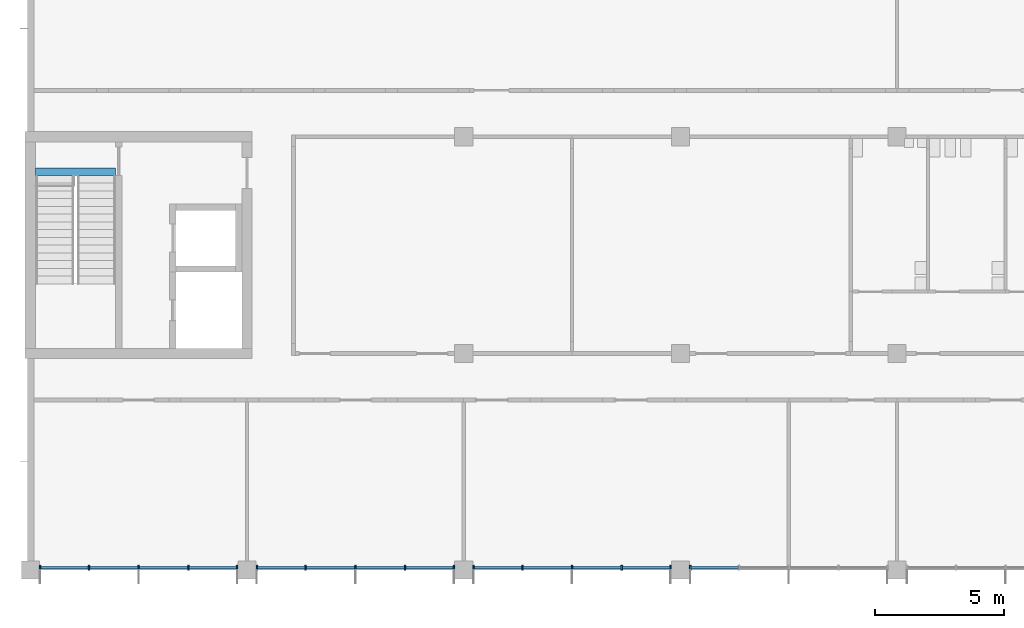
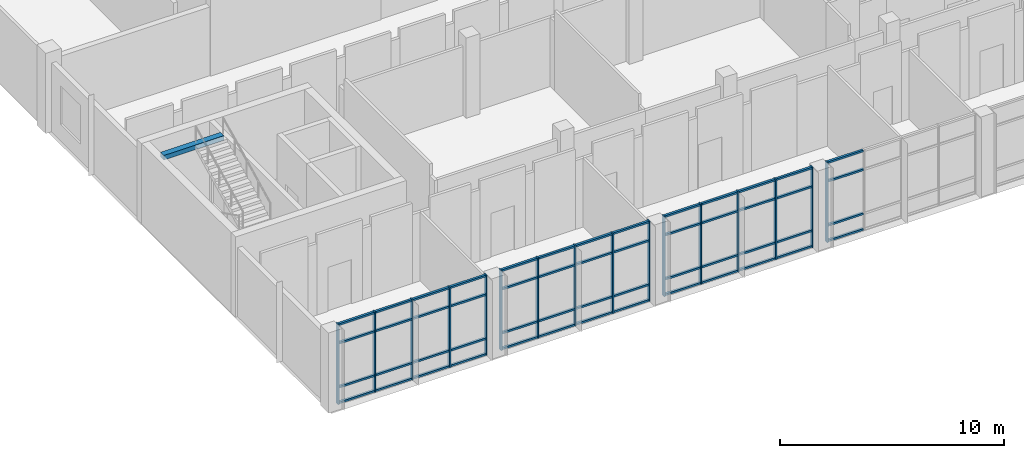
# One storey, part 6 of 70: 68 members, 1 beam, 4 elements without a shape of their own.
"""IFC4 building model written with IfcOpenShell, lengths in metres."""

import ifcopenshell
import ifcopenshell.guid

model = None  # the IFC model being written
_history = None  # IfcOwnerHistory: only IFC2X3 demands one
_inside = {}  # id of a spatial element -> (the spatial element, [elements in it])
_under = {}  # id of a project, library or spatial element -> (it, [spatial elements below it])
_declared = {}  # id of a project -> (the project, [libraries it declares])
_typed = {}  # id of a type object -> (the type object, [elements of that type])
_made_of = {}  # id of a material, layer set ... -> (it, [elements and type objects made of it])


def new_model(schema):
    """Start an empty IFC model of exactly this schema.

    Asked for "IFC4X3", IfcOpenShell would pick the latest addendum, in which some entities
    have other attributes; the version numbers below select the first issue.
    IFC2X3 requires an IfcOwnerHistory on every rooted entity: one is made here for all.
    """
    global model, _history
    if schema == "IFC4X3":
        model = ifcopenshell.file(schema_version=(4, 3, 0, 0))
    else:
        model = ifcopenshell.file(schema=schema)
    _inside.clear()
    _under.clear()
    _declared.clear()
    _typed.clear()
    _made_of.clear()
    _history = None
    if model.schema == "IFC2X3":
        org = make("IfcOrganization", Name="unknown")
        user = make(
            "IfcPersonAndOrganization",
            ThePerson=make("IfcPerson", FamilyName="unknown"),
            TheOrganization=org,
        )
        app = make(
            "IfcApplication",
            ApplicationDeveloper=org,
            Version="unknown",
            ApplicationFullName="unknown",
            ApplicationIdentifier="unknown",
        )
        _history = make(
            "IfcOwnerHistory",
            OwningUser=user,
            OwningApplication=app,
            ChangeAction="ADDED",
            CreationDate=0,
        )
    return model


def make(cls, **values):
    """One entity of the class cls with the attributes given. An attribute that is None is left unset."""
    return model.create_entity(
        cls, **{name: value for name, value in values.items() if value is not None}
    )


def rooted(cls, **values):
    """An entity with a GlobalId (a new one), such as an element, a storey or a relation."""
    return make(cls, GlobalId=ifcopenshell.guid.new(), OwnerHistory=_history, **values)


def si_unit(unit_type, name, prefix=None):
    """IfcSIUnit, for example si_unit("LENGTHUNIT", "METRE", prefix="MILLI")."""
    return make("IfcSIUnit", UnitType=unit_type, Prefix=prefix, Name=name)


def assignment(units):
    """IfcUnitAssignment: the units of a project."""
    return None if units is None else make("IfcUnitAssignment", Units=units)


def point(xyz):
    """IfcCartesianPoint."""
    return None if xyz is None else make("IfcCartesianPoint", Coordinates=xyz)


def direction(xyz):
    """IfcDirection."""
    return None if xyz is None else make("IfcDirection", DirectionRatios=xyz)


def frame(location, z_axis=None, x_axis=None):
    """IfcAxis2Placement3D, a coordinate frame: its origin and axes. An axis left out is left unset."""
    return make(
        "IfcAxis2Placement3D",
        Location=point(location),
        Axis=direction(z_axis),
        RefDirection=direction(x_axis),
    )


def frame_2d(location, x_axis=None):
    """IfcAxis2Placement2D, a coordinate frame in the plane: its origin and x axis."""
    return make(
        "IfcAxis2Placement2D", Location=point(location), RefDirection=direction(x_axis)
    )


def origin():
    """The frame at (0, 0, 0) with its axes left unset."""
    return frame((0.0, 0.0, 0.0))


def origin_2d():
    """The frame at (0, 0) in the plane with its x axis left unset."""
    return frame_2d((0.0, 0.0))


def place(relative_to, where):
    """IfcLocalPlacement: puts the frame where relative to a parent placement (None: the world)."""
    return make(
        "IfcLocalPlacement", PlacementRelTo=relative_to, RelativePlacement=where
    )


def context(
    kind, dimensions, precision=None, world=None, true_north=None, identifier=None
):
    """IfcGeometricRepresentationContext, for example the 3D "Model" context."""
    return make(
        "IfcGeometricRepresentationContext",
        ContextIdentifier=identifier,
        ContextType=kind,
        CoordinateSpaceDimension=dimensions,
        Precision=precision,
        WorldCoordinateSystem=world,
        TrueNorth=true_north,
    )


def subcontext(parent, identifier, kind, view, scale=None):
    """IfcGeometricRepresentationSubContext, for example "Body" below "Model"."""
    return make(
        "IfcGeometricRepresentationSubContext",
        ContextIdentifier=identifier,
        ContextType=kind,
        ParentContext=parent,
        TargetScale=scale,
        TargetView=view,
    )


def project(units=None, contexts=None):
    """IfcProject with its units and contexts."""
    return rooted(
        "IfcProject",
        Name="project",
        RepresentationContexts=contexts,
        UnitsInContext=assignment(units),
    )


def spatial(cls, under=None, at=None, **own):
    """A site, building, storey or space (cls), placed at a placement, below another one or the project."""
    s = rooted(cls, ObjectPlacement=at, **own)
    if under is not None:
        _under.setdefault(under.id(), (under, []))[1].append(s)
    return s


def profile(cls, at=None, kind="AREA", **sizes):
    """A parametric profile (cls). Its sizes go by their IFC names, for example OverallWidth=200.0."""
    return make(cls, ProfileType=kind, Position=at, **sizes)


def rectangle(**sizes):
    """IfcRectangleProfileDef."""
    return profile("IfcRectangleProfileDef", **sizes)


def extrude(swept, where, along, depth):
    """IfcExtrudedAreaSolid: the profile swept, set in the frame where, extruded along a direction by depth."""
    return make(
        "IfcExtrudedAreaSolid",
        SweptArea=swept,
        Position=where,
        ExtrudedDirection=direction(along),
        Depth=depth,
    )


def shape(context_of_items, identifier, shape_type, items):
    """IfcShapeRepresentation: the items that make up one representation, for example the "Body"."""
    return make(
        "IfcShapeRepresentation",
        ContextOfItems=context_of_items,
        RepresentationIdentifier=identifier,
        RepresentationType=shape_type,
        Items=items,
    )


def material(Name=None, Category=None):
    """IfcMaterial."""
    return make("IfcMaterial", Name=Name, Category=Category)


def material_profile(
    of_material, cross_section, Name=None, Category=None, Priority=None
):
    """IfcMaterialProfile: a cross section and its material."""
    return make(
        "IfcMaterialProfile",
        Name=Name,
        Material=of_material,
        Profile=cross_section,
        Priority=Priority,
        Category=Category,
    )


def profile_set(profiles, Name=None, composite=None):
    """IfcMaterialProfileSet."""
    return make(
        "IfcMaterialProfileSet",
        Name=Name,
        MaterialProfiles=profiles,
        CompositeProfile=composite,
    )


def made_of(thing, what):
    """Note that an element or type object is made of a material, layer set ...; save() writes the relation."""
    if what is not None:
        _made_of.setdefault(what.id(), (what, []))[1].append(thing)
    return thing


def type_object(cls, material=None, **own):
    """A type object (cls), such as IfcWallType, which elements share."""
    return made_of(rooted(cls, **own), material)


def element(
    cls,
    number,
    at=None,
    inside=None,
    cuts=None,
    type_object=None,
    material=None,
    context=None,
    identifier="Body",
    shape_type=None,
    held_by="IfcProductDefinitionShape",
    body=None,
    shapes=None,
    **own,
):
    """One element of the class cls, such as IfcWall. Its Tag is "e" and its number.

    at: its placement. inside: the storey or other place that contains it. cuts: it is an
    opening in that element (IfcRelVoidsElement). A single representation is given by context,
    identifier, shape_type and body (its items); several are given by shapes. held_by: the class
    of the entity that holds the representations. save() writes the other relations.
    """
    e = rooted(cls, Tag="e%d" % number, ObjectPlacement=at, **own)
    if body is not None:
        shapes = [shape(context, identifier, shape_type, body)]
    if shapes is not None:
        e.Representation = make(held_by, Representations=shapes)
    if inside is not None:
        _inside.setdefault(inside.id(), (inside, []))[1].append(e)
    if cuts is not None:
        rooted(
            "IfcRelVoidsElement", RelatingBuildingElement=cuts, RelatedOpeningElement=e
        )
    if type_object is not None:
        _typed.setdefault(type_object.id(), (type_object, []))[1].append(e)
    return made_of(e, material)


def aggregate(whole, parts):
    """IfcRelAggregates: a whole, such as a stair, and the parts it consists of."""
    return rooted("IfcRelAggregates", RelatingObject=whole, RelatedObjects=parts)


def save(model, path):
    """Write the relations noted so far, then the file.

    IfcRelAggregates (storeys below a building ...), IfcRelContainedInSpatialStructure (elements
    in a storey), IfcRelDefinesByType, IfcRelAssociatesMaterial and IfcRelDeclares: one each for
    every whole, place, type object, material and project.
    """
    for whole, parts in _under.values():
        aggregate(whole, parts)
    for where, things in _inside.values():
        rooted(
            "IfcRelContainedInSpatialStructure",
            RelatedElements=things,
            RelatingStructure=where,
        )
    for kind, things in _typed.values():
        rooted("IfcRelDefinesByType", RelatedObjects=things, RelatingType=kind)
    for what, things in _made_of.values():
        rooted("IfcRelAssociatesMaterial", RelatedObjects=things, RelatingMaterial=what)
    for by, libraries in _declared.values():
        rooted("IfcRelDeclares", RelatingContext=by, RelatedDefinitions=libraries)
    model.write(path)


model = new_model("IFC4")

# Units and contexts
model_context = context("Model", 3, precision=1e-05, world=origin(), true_north=direction((0.0, 1.0)))
body_context = subcontext(model_context, "Body", "Model", "MODEL_VIEW")
ifc_project = project(units=[si_unit("LENGTHUNIT", "METRE"), si_unit("AREAUNIT", "SQUARE_METRE"), si_unit("VOLUMEUNIT", "CUBIC_METRE"), si_unit("PLANEANGLEUNIT", "RADIAN"), si_unit("MASSUNIT", "GRAM", prefix="KILO")], contexts=[model_context])

# Site, building, storey
site_placement = place(None, origin())
site = spatial("IfcSite", under=ifc_project, at=site_placement, CompositionType="ELEMENT")
building_placement = place(site_placement, origin())
building = spatial("IfcBuilding", under=site, at=building_placement, Name="Hlaing Beacon Police Headquarters", CompositionType="ELEMENT")
storey_placement = place(building_placement, frame((0.0, 0.0, 5.39990234375)))
storey = spatial("IfcBuildingStorey", under=building, at=storey_placement, Name="L01", CompositionType="ELEMENT", Elevation=5.39990234375)

# Curtain wall, members
ifc_material_1 = material(Name="Aluminium frame with solar control glazing", Category="aluminium")
curtain_wall_type = type_object("IfcCurtainWallType", Name="Unitised curtain wall 7.70 x 4.37", PredefinedType="NOTDEFINED", material=ifc_material_1)
curtain_wall_1_placement = place(storey_placement, origin())
curtain_wall_1 = element("IfcCurtainWall", 1, at=curtain_wall_1_placement, inside=storey, type_object=curtain_wall_type, Name="ENV-CW-L01-S011", PredefinedType="NOTDEFINED")
ifc_material_2 = material(Name="Aluminium", Category="aluminium")
ifc_material_profile_1 = material_profile(ifc_material_2, rectangle(XDim=0.199951171875, YDim=0.06005859375, at=origin_2d()), Name="Mullion 60x200")
ifc_profile_set_1 = profile_set([ifc_material_profile_1], Name="Aluminium")
member_type_1 = type_object("IfcMemberType", Name="Mullion 60x200", PredefinedType="MULLION", material=ifc_profile_set_1)
member_1_placement = place(storey_placement, frame((8.780029296875, 8.5, 0.0), z_axis=(0.0, 0.0, 1.0), x_axis=(0.0, 1.0, 0.0)))
member_1 = element("IfcMember", 2, at=member_1_placement, type_object=member_type_1, Name="CW-L01-S011 mullion 1", PredefinedType="MULLION", context=body_context, shape_type="SweptSolid", body=[
    extrude(rectangle(XDim=0.199951171875, YDim=0.06005859375, at=origin_2d()), origin(), (0.0, 0.0, 1.0), 4.3701171875),
])
member_2_placement = place(storey_placement, frame((10.675048828125, 8.5, 0.0), z_axis=(0.0, 0.0, 1.0), x_axis=(0.0, 1.0, 0.0)))
member_2 = element("IfcMember", 3, at=member_2_placement, type_object=member_type_1, Name="CW-L01-S011 mullion 2", PredefinedType="MULLION", context=body_context, shape_type="SweptSolid", body=[
    extrude(rectangle(XDim=0.199951171875, YDim=0.06005859375, at=origin_2d()), origin(), (0.0, 0.0, 1.0), 4.3701171875),
])
member_3_placement = place(storey_placement, frame((12.60009765625, 8.5, 0.0), z_axis=(0.0, 0.0, 1.0), x_axis=(0.0, 1.0, 0.0)))
member_3 = element("IfcMember", 4, at=member_3_placement, type_object=member_type_1, Name="CW-L01-S011 mullion 3", PredefinedType="MULLION", context=body_context, shape_type="SweptSolid", body=[
    extrude(rectangle(XDim=0.199951171875, YDim=0.06005859375, at=origin_2d()), origin(), (0.0, 0.0, 1.0), 4.3701171875),
])
member_4_placement = place(storey_placement, frame((14.52490234375, 8.5, 0.0), z_axis=(0.0, 0.0, 1.0), x_axis=(0.0, 1.0, 0.0)))
member_4 = element("IfcMember", 5, at=member_4_placement, type_object=member_type_1, Name="CW-L01-S011 mullion 4", PredefinedType="MULLION", context=body_context, shape_type="SweptSolid", body=[
    extrude(rectangle(XDim=0.199951171875, YDim=0.06005859375, at=origin_2d()), origin(), (0.0, 0.0, 1.0), 4.3701171875),
])
member_5_placement = place(storey_placement, frame((16.419921875, 8.5, 0.0), z_axis=(0.0, 0.0, 1.0), x_axis=(0.0, 1.0, 0.0)))
member_5 = element("IfcMember", 6, at=member_5_placement, type_object=member_type_1, Name="CW-L01-S011 mullion 5", PredefinedType="MULLION", context=body_context, shape_type="SweptSolid", body=[
    extrude(rectangle(XDim=0.199951171875, YDim=0.06005859375, at=origin_2d()), origin(), (0.0, 0.0, 1.0), 4.3701171875),
])

curtain_wall_2_placement = place(storey_placement, origin())
curtain_wall_2 = element("IfcCurtainWall", 7, at=curtain_wall_2_placement, inside=storey, type_object=curtain_wall_type, Name="ENV-CW-L01-S012", PredefinedType="NOTDEFINED")
member_6_placement = place(storey_placement, frame((17.179931640625, 8.5, 0.0), z_axis=(0.0, 0.0, 1.0), x_axis=(0.0, 1.0, 0.0)))
member_6 = element("IfcMember", 8, at=member_6_placement, type_object=member_type_1, Name="CW-L01-S012 mullion 1", PredefinedType="MULLION", context=body_context, shape_type="SweptSolid", body=[
    extrude(rectangle(XDim=0.199951171875, YDim=0.06005859375, at=origin_2d()), origin(), (0.0, 0.0, 1.0), 4.3701171875),
])
member_7_placement = place(storey_placement, frame((19.074951171875, 8.5, 0.0), z_axis=(0.0, 0.0, 1.0), x_axis=(0.0, 1.0, 0.0)))
member_7 = element("IfcMember", 9, at=member_7_placement, type_object=member_type_1, Name="CW-L01-S012 mullion 2", PredefinedType="MULLION", context=body_context, shape_type="SweptSolid", body=[
    extrude(rectangle(XDim=0.199951171875, YDim=0.06005859375, at=origin_2d()), origin(), (0.0, 0.0, 1.0), 4.3701171875),
])
member_8_placement = place(storey_placement, frame((21.0, 8.5, 0.0), z_axis=(0.0, 0.0, 1.0), x_axis=(0.0, 1.0, 0.0)))
member_8 = element("IfcMember", 10, at=member_8_placement, type_object=member_type_1, Name="CW-L01-S012 mullion 3", PredefinedType="MULLION", context=body_context, shape_type="SweptSolid", body=[
    extrude(rectangle(XDim=0.199951171875, YDim=0.06005859375, at=origin_2d()), origin(), (0.0, 0.0, 1.0), 4.3701171875),
])
member_9_placement = place(storey_placement, frame((22.925048828125, 8.5, 0.0), z_axis=(0.0, 0.0, 1.0), x_axis=(0.0, 1.0, 0.0)))
member_9 = element("IfcMember", 11, at=member_9_placement, type_object=member_type_1, Name="CW-L01-S012 mullion 4", PredefinedType="MULLION", context=body_context, shape_type="SweptSolid", body=[
    extrude(rectangle(XDim=0.199951171875, YDim=0.06005859375, at=origin_2d()), origin(), (0.0, 0.0, 1.0), 4.3701171875),
])
member_10_placement = place(storey_placement, frame((24.820068359375, 8.5, 0.0), z_axis=(0.0, 0.0, 1.0), x_axis=(0.0, 1.0, 0.0)))
member_10 = element("IfcMember", 12, at=member_10_placement, type_object=member_type_1, Name="CW-L01-S012 mullion 5", PredefinedType="MULLION", context=body_context, shape_type="SweptSolid", body=[
    extrude(rectangle(XDim=0.199951171875, YDim=0.06005859375, at=origin_2d()), origin(), (0.0, 0.0, 1.0), 4.3701171875),
])

curtain_wall_3_placement = place(storey_placement, origin())
curtain_wall_3 = element("IfcCurtainWall", 13, at=curtain_wall_3_placement, inside=storey, type_object=curtain_wall_type, Name="ENV-CW-L01-S013", PredefinedType="NOTDEFINED")
member_11_placement = place(storey_placement, frame((25.580078125, 8.5, 0.0), z_axis=(0.0, 0.0, 1.0), x_axis=(0.0, 1.0, 0.0)))
member_11 = element("IfcMember", 14, at=member_11_placement, type_object=member_type_1, Name="CW-L01-S013 mullion 1", PredefinedType="MULLION", context=body_context, shape_type="SweptSolid", body=[
    extrude(rectangle(XDim=0.199951171875, YDim=0.06005859375, at=origin_2d()), origin(), (0.0, 0.0, 1.0), 4.3701171875),
])
member_12_placement = place(storey_placement, frame((27.47509765625, 8.5, 0.0), z_axis=(0.0, 0.0, 1.0), x_axis=(0.0, 1.0, 0.0)))
member_12 = element("IfcMember", 15, at=member_12_placement, type_object=member_type_1, Name="CW-L01-S013 mullion 2", PredefinedType="MULLION", context=body_context, shape_type="SweptSolid", body=[
    extrude(rectangle(XDim=0.199951171875, YDim=0.06005859375, at=origin_2d()), origin(), (0.0, 0.0, 1.0), 4.3701171875),
])
member_13_placement = place(storey_placement, frame((29.39990234375, 8.5, 0.0), z_axis=(0.0, 0.0, 1.0), x_axis=(0.0, 1.0, 0.0)))
member_13 = element("IfcMember", 16, at=member_13_placement, type_object=member_type_1, Name="CW-L01-S013 mullion 3", PredefinedType="MULLION", context=body_context, shape_type="SweptSolid", body=[
    extrude(rectangle(XDim=0.199951171875, YDim=0.06005859375, at=origin_2d()), origin(), (0.0, 0.0, 1.0), 4.3701171875),
])
member_14_placement = place(storey_placement, frame((31.324951171875, 8.5, 0.0), z_axis=(0.0, 0.0, 1.0), x_axis=(0.0, 1.0, 0.0)))
member_14 = element("IfcMember", 17, at=member_14_placement, type_object=member_type_1, Name="CW-L01-S013 mullion 4", PredefinedType="MULLION", context=body_context, shape_type="SweptSolid", body=[
    extrude(rectangle(XDim=0.199951171875, YDim=0.06005859375, at=origin_2d()), origin(), (0.0, 0.0, 1.0), 4.3701171875),
])
member_15_placement = place(storey_placement, frame((33.219970703125, 8.5, 0.0), z_axis=(0.0, 0.0, 1.0), x_axis=(0.0, 1.0, 0.0)))
member_15 = element("IfcMember", 18, at=member_15_placement, type_object=member_type_1, Name="CW-L01-S013 mullion 5", PredefinedType="MULLION", context=body_context, shape_type="SweptSolid", body=[
    extrude(rectangle(XDim=0.199951171875, YDim=0.06005859375, at=origin_2d()), origin(), (0.0, 0.0, 1.0), 4.3701171875),
])

# Curtain wall, member
curtain_wall_4_placement = place(storey_placement, origin())
curtain_wall_4 = element("IfcCurtainWall", 19, at=curtain_wall_4_placement, inside=storey, type_object=curtain_wall_type, Name="ENV-CW-L01-S014", PredefinedType="NOTDEFINED")
member_16_placement = place(storey_placement, frame((33.97998046875, 8.5, 0.0), z_axis=(0.0, 0.0, 1.0), x_axis=(0.0, 1.0, 0.0)))
member_16 = element("IfcMember", 20, at=member_16_placement, type_object=member_type_1, Name="CW-L01-S014 mullion 1", PredefinedType="MULLION", context=body_context, shape_type="SweptSolid", body=[
    extrude(rectangle(XDim=0.199951171875, YDim=0.06005859375, at=origin_2d()), origin(), (0.0, 0.0, 1.0), 4.3701171875),
])

# Beam
ifc_material_3 = material(Name="Concrete C40/50", Category="concrete")
ifc_material_profile_2 = material_profile(ifc_material_3, rectangle(XDim=0.300048828125, YDim=0.25, at=origin_2d()), Name="Stair arrival beam 300x250")
ifc_profile_set_2 = profile_set([ifc_material_profile_2], Name="Concrete C40/50")
beam_type = type_object("IfcBeamType", Name="Stair arrival beam 300x250", PredefinedType="BEAM", material=ifc_profile_set_2)
beam_placement = place(storey_placement, frame((8.60009765625, 23.840087890625, 4.2451171875), z_axis=(1.0, 0.0, 0.0), x_axis=(0.0, 1.0, 0.0)))
element("IfcBeam", 21, at=beam_placement, inside=storey, type_object=beam_type, Name="Stair arrival beam ST-J", PredefinedType="BEAM", context=body_context, shape_type="SweptSolid", body=[
    extrude(rectangle(XDim=0.300048828125, YDim=0.25, at=origin_2d()), origin(), (0.0, 0.0, 1.0), 3.099853515625),
])

# Member
ifc_material_4 = material(Name="Aluminium", Category="aluminium")
ifc_material_profile_3 = material_profile(ifc_material_4, rectangle(XDim=0.1201171875, YDim=0.10009765625, at=origin_2d()), Name="Transom 120x100")
ifc_profile_set_3 = profile_set([ifc_material_profile_3], Name="Aluminium")
member_type_2 = type_object("IfcMemberType", Name="Transom 120x100", PredefinedType="USERDEFINED", material=ifc_profile_set_3)
member_17_placement = place(storey_placement, frame((8.81005859375, 8.5, 0.050048828125), z_axis=(1.0, 0.0, 0.0), x_axis=(0.0, 1.0, 0.0)))
member_17 = element("IfcMember", 22, at=member_17_placement, type_object=member_type_2, Name="CW-L01-S011 transom 1.1", ObjectType="TRANSOM", PredefinedType="USERDEFINED", context=body_context, shape_type="SweptSolid", body=[
    extrude(rectangle(XDim=0.1201171875, YDim=0.10009765625, at=origin_2d()), origin(), (0.0, 0.0, 1.0), 1.8349609375),
])

member_18_placement = place(storey_placement, frame((8.81005859375, 8.5, 0.900146484375), z_axis=(1.0, 0.0, 0.0), x_axis=(0.0, 1.0, 0.0)))
member_18 = element("IfcMember", 23, at=member_18_placement, type_object=member_type_2, Name="CW-L01-S011 transom 1.2", ObjectType="TRANSOM", PredefinedType="USERDEFINED", context=body_context, shape_type="SweptSolid", body=[
    extrude(rectangle(XDim=0.1201171875, YDim=0.10009765625, at=origin_2d()), origin(), (0.0, 0.0, 1.0), 1.8349609375),
])

member_19_placement = place(storey_placement, frame((8.81005859375, 8.5, 3.300048828125), z_axis=(1.0, 0.0, 0.0), x_axis=(0.0, 1.0, 0.0)))
member_19 = element("IfcMember", 24, at=member_19_placement, type_object=member_type_2, Name="CW-L01-S011 transom 1.3", ObjectType="TRANSOM", PredefinedType="USERDEFINED", context=body_context, shape_type="SweptSolid", body=[
    extrude(rectangle(XDim=0.1201171875, YDim=0.10009765625, at=origin_2d()), origin(), (0.0, 0.0, 1.0), 1.8349609375),
])

member_20_placement = place(storey_placement, frame((8.81005859375, 8.5, 4.320068359375), z_axis=(1.0, 0.0, 0.0), x_axis=(0.0, 1.0, 0.0)))
member_20 = element("IfcMember", 25, at=member_20_placement, type_object=member_type_2, Name="CW-L01-S011 transom 1.4", ObjectType="TRANSOM", PredefinedType="USERDEFINED", context=body_context, shape_type="SweptSolid", body=[
    extrude(rectangle(XDim=0.1201171875, YDim=0.10009765625, at=origin_2d()), origin(), (0.0, 0.0, 1.0), 1.8349609375),
])

member_21_placement = place(storey_placement, frame((10.705078125, 8.5, 0.050048828125), z_axis=(1.0, 0.0, 0.0), x_axis=(0.0, 1.0, 0.0)))
member_21 = element("IfcMember", 26, at=member_21_placement, type_object=member_type_2, Name="CW-L01-S011 transom 2.1", ObjectType="TRANSOM", PredefinedType="USERDEFINED", context=body_context, shape_type="SweptSolid", body=[
    extrude(rectangle(XDim=0.1201171875, YDim=0.10009765625, at=origin_2d()), origin(), (0.0, 0.0, 1.0), 1.864990234375),
])

member_22_placement = place(storey_placement, frame((10.705078125, 8.5, 0.900146484375), z_axis=(1.0, 0.0, 0.0), x_axis=(0.0, 1.0, 0.0)))
member_22 = element("IfcMember", 27, at=member_22_placement, type_object=member_type_2, Name="CW-L01-S011 transom 2.2", ObjectType="TRANSOM", PredefinedType="USERDEFINED", context=body_context, shape_type="SweptSolid", body=[
    extrude(rectangle(XDim=0.1201171875, YDim=0.10009765625, at=origin_2d()), origin(), (0.0, 0.0, 1.0), 1.864990234375),
])

member_23_placement = place(storey_placement, frame((10.705078125, 8.5, 3.300048828125), z_axis=(1.0, 0.0, 0.0), x_axis=(0.0, 1.0, 0.0)))
member_23 = element("IfcMember", 28, at=member_23_placement, type_object=member_type_2, Name="CW-L01-S011 transom 2.3", ObjectType="TRANSOM", PredefinedType="USERDEFINED", context=body_context, shape_type="SweptSolid", body=[
    extrude(rectangle(XDim=0.1201171875, YDim=0.10009765625, at=origin_2d()), origin(), (0.0, 0.0, 1.0), 1.864990234375),
])

member_24_placement = place(storey_placement, frame((10.705078125, 8.5, 4.320068359375), z_axis=(1.0, 0.0, 0.0), x_axis=(0.0, 1.0, 0.0)))
member_24 = element("IfcMember", 29, at=member_24_placement, type_object=member_type_2, Name="CW-L01-S011 transom 2.4", ObjectType="TRANSOM", PredefinedType="USERDEFINED", context=body_context, shape_type="SweptSolid", body=[
    extrude(rectangle(XDim=0.1201171875, YDim=0.10009765625, at=origin_2d()), origin(), (0.0, 0.0, 1.0), 1.864990234375),
])

member_25_placement = place(storey_placement, frame((12.6298828125, 8.5, 0.050048828125), z_axis=(1.0, 0.0, 0.0), x_axis=(0.0, 1.0, 0.0)))
member_25 = element("IfcMember", 30, at=member_25_placement, type_object=member_type_2, Name="CW-L01-S011 transom 3.1", ObjectType="TRANSOM", PredefinedType="USERDEFINED", context=body_context, shape_type="SweptSolid", body=[
    extrude(rectangle(XDim=0.1201171875, YDim=0.10009765625, at=origin_2d()), origin(), (0.0, 0.0, 1.0), 1.865234375),
])

member_26_placement = place(storey_placement, frame((12.6298828125, 8.5, 0.900146484375), z_axis=(1.0, 0.0, 0.0), x_axis=(0.0, 1.0, 0.0)))
member_26 = element("IfcMember", 31, at=member_26_placement, type_object=member_type_2, Name="CW-L01-S011 transom 3.2", ObjectType="TRANSOM", PredefinedType="USERDEFINED", context=body_context, shape_type="SweptSolid", body=[
    extrude(rectangle(XDim=0.1201171875, YDim=0.10009765625, at=origin_2d()), origin(), (0.0, 0.0, 1.0), 1.865234375),
])

member_27_placement = place(storey_placement, frame((12.6298828125, 8.5, 3.300048828125), z_axis=(1.0, 0.0, 0.0), x_axis=(0.0, 1.0, 0.0)))
member_27 = element("IfcMember", 32, at=member_27_placement, type_object=member_type_2, Name="CW-L01-S011 transom 3.3", ObjectType="TRANSOM", PredefinedType="USERDEFINED", context=body_context, shape_type="SweptSolid", body=[
    extrude(rectangle(XDim=0.1201171875, YDim=0.10009765625, at=origin_2d()), origin(), (0.0, 0.0, 1.0), 1.865234375),
])

member_28_placement = place(storey_placement, frame((12.6298828125, 8.5, 4.320068359375), z_axis=(1.0, 0.0, 0.0), x_axis=(0.0, 1.0, 0.0)))
member_28 = element("IfcMember", 33, at=member_28_placement, type_object=member_type_2, Name="CW-L01-S011 transom 3.4", ObjectType="TRANSOM", PredefinedType="USERDEFINED", context=body_context, shape_type="SweptSolid", body=[
    extrude(rectangle(XDim=0.1201171875, YDim=0.10009765625, at=origin_2d()), origin(), (0.0, 0.0, 1.0), 1.865234375),
])

member_29_placement = place(storey_placement, frame((14.554931640625, 8.5, 0.050048828125), z_axis=(1.0, 0.0, 0.0), x_axis=(0.0, 1.0, 0.0)))
member_29 = element("IfcMember", 34, at=member_29_placement, type_object=member_type_2, Name="CW-L01-S011 transom 4.1", ObjectType="TRANSOM", PredefinedType="USERDEFINED", context=body_context, shape_type="SweptSolid", body=[
    extrude(rectangle(XDim=0.1201171875, YDim=0.10009765625, at=origin_2d()), origin(), (0.0, 0.0, 1.0), 1.8349609375),
])

member_30_placement = place(storey_placement, frame((14.554931640625, 8.5, 0.900146484375), z_axis=(1.0, 0.0, 0.0), x_axis=(0.0, 1.0, 0.0)))
member_30 = element("IfcMember", 35, at=member_30_placement, type_object=member_type_2, Name="CW-L01-S011 transom 4.2", ObjectType="TRANSOM", PredefinedType="USERDEFINED", context=body_context, shape_type="SweptSolid", body=[
    extrude(rectangle(XDim=0.1201171875, YDim=0.10009765625, at=origin_2d()), origin(), (0.0, 0.0, 1.0), 1.8349609375),
])

member_31_placement = place(storey_placement, frame((14.554931640625, 8.5, 3.300048828125), z_axis=(1.0, 0.0, 0.0), x_axis=(0.0, 1.0, 0.0)))
member_31 = element("IfcMember", 36, at=member_31_placement, type_object=member_type_2, Name="CW-L01-S011 transom 4.3", ObjectType="TRANSOM", PredefinedType="USERDEFINED", context=body_context, shape_type="SweptSolid", body=[
    extrude(rectangle(XDim=0.1201171875, YDim=0.10009765625, at=origin_2d()), origin(), (0.0, 0.0, 1.0), 1.8349609375),
])

member_32_placement = place(storey_placement, frame((14.554931640625, 8.5, 4.320068359375), z_axis=(1.0, 0.0, 0.0), x_axis=(0.0, 1.0, 0.0)))
member_32 = element("IfcMember", 37, at=member_32_placement, type_object=member_type_2, Name="CW-L01-S011 transom 4.4", ObjectType="TRANSOM", PredefinedType="USERDEFINED", context=body_context, shape_type="SweptSolid", body=[
    extrude(rectangle(XDim=0.1201171875, YDim=0.10009765625, at=origin_2d()), origin(), (0.0, 0.0, 1.0), 1.8349609375),
])

aggregate(curtain_wall_1, [member_1, member_2, member_3, member_4, member_5, member_17, member_18, member_19, member_20, member_21, member_22, member_23, member_24, member_25, member_26, member_27, member_28, member_29, member_30, member_31, member_32])

member_33_placement = place(storey_placement, frame((17.2099609375, 8.5, 0.050048828125), z_axis=(1.0, 0.0, 0.0), x_axis=(0.0, 1.0, 0.0)))
member_33 = element("IfcMember", 38, at=member_33_placement, type_object=member_type_2, Name="CW-L01-S012 transom 1.1", ObjectType="TRANSOM", PredefinedType="USERDEFINED", context=body_context, shape_type="SweptSolid", body=[
    extrude(rectangle(XDim=0.1201171875, YDim=0.10009765625, at=origin_2d()), origin(), (0.0, 0.0, 1.0), 1.8349609375),
])

member_34_placement = place(storey_placement, frame((17.2099609375, 8.5, 0.900146484375), z_axis=(1.0, 0.0, 0.0), x_axis=(0.0, 1.0, 0.0)))
member_34 = element("IfcMember", 39, at=member_34_placement, type_object=member_type_2, Name="CW-L01-S012 transom 1.2", ObjectType="TRANSOM", PredefinedType="USERDEFINED", context=body_context, shape_type="SweptSolid", body=[
    extrude(rectangle(XDim=0.1201171875, YDim=0.10009765625, at=origin_2d()), origin(), (0.0, 0.0, 1.0), 1.8349609375),
])

member_35_placement = place(storey_placement, frame((17.2099609375, 8.5, 3.300048828125), z_axis=(1.0, 0.0, 0.0), x_axis=(0.0, 1.0, 0.0)))
member_35 = element("IfcMember", 40, at=member_35_placement, type_object=member_type_2, Name="CW-L01-S012 transom 1.3", ObjectType="TRANSOM", PredefinedType="USERDEFINED", context=body_context, shape_type="SweptSolid", body=[
    extrude(rectangle(XDim=0.1201171875, YDim=0.10009765625, at=origin_2d()), origin(), (0.0, 0.0, 1.0), 1.8349609375),
])

member_36_placement = place(storey_placement, frame((17.2099609375, 8.5, 4.320068359375), z_axis=(1.0, 0.0, 0.0), x_axis=(0.0, 1.0, 0.0)))
member_36 = element("IfcMember", 41, at=member_36_placement, type_object=member_type_2, Name="CW-L01-S012 transom 1.4", ObjectType="TRANSOM", PredefinedType="USERDEFINED", context=body_context, shape_type="SweptSolid", body=[
    extrude(rectangle(XDim=0.1201171875, YDim=0.10009765625, at=origin_2d()), origin(), (0.0, 0.0, 1.0), 1.8349609375),
])

member_37_placement = place(storey_placement, frame((19.10498046875, 8.5, 0.050048828125), z_axis=(1.0, 0.0, 0.0), x_axis=(0.0, 1.0, 0.0)))
member_37 = element("IfcMember", 42, at=member_37_placement, type_object=member_type_2, Name="CW-L01-S012 transom 2.1", ObjectType="TRANSOM", PredefinedType="USERDEFINED", context=body_context, shape_type="SweptSolid", body=[
    extrude(rectangle(XDim=0.1201171875, YDim=0.10009765625, at=origin_2d()), origin(), (0.0, 0.0, 1.0), 1.864990234375),
])

member_38_placement = place(storey_placement, frame((19.10498046875, 8.5, 0.900146484375), z_axis=(1.0, 0.0, 0.0), x_axis=(0.0, 1.0, 0.0)))
member_38 = element("IfcMember", 43, at=member_38_placement, type_object=member_type_2, Name="CW-L01-S012 transom 2.2", ObjectType="TRANSOM", PredefinedType="USERDEFINED", context=body_context, shape_type="SweptSolid", body=[
    extrude(rectangle(XDim=0.1201171875, YDim=0.10009765625, at=origin_2d()), origin(), (0.0, 0.0, 1.0), 1.864990234375),
])

member_39_placement = place(storey_placement, frame((19.10498046875, 8.5, 3.300048828125), z_axis=(1.0, 0.0, 0.0), x_axis=(0.0, 1.0, 0.0)))
member_39 = element("IfcMember", 44, at=member_39_placement, type_object=member_type_2, Name="CW-L01-S012 transom 2.3", ObjectType="TRANSOM", PredefinedType="USERDEFINED", context=body_context, shape_type="SweptSolid", body=[
    extrude(rectangle(XDim=0.1201171875, YDim=0.10009765625, at=origin_2d()), origin(), (0.0, 0.0, 1.0), 1.864990234375),
])

member_40_placement = place(storey_placement, frame((19.10498046875, 8.5, 4.320068359375), z_axis=(1.0, 0.0, 0.0), x_axis=(0.0, 1.0, 0.0)))
member_40 = element("IfcMember", 45, at=member_40_placement, type_object=member_type_2, Name="CW-L01-S012 transom 2.4", ObjectType="TRANSOM", PredefinedType="USERDEFINED", context=body_context, shape_type="SweptSolid", body=[
    extrude(rectangle(XDim=0.1201171875, YDim=0.10009765625, at=origin_2d()), origin(), (0.0, 0.0, 1.0), 1.864990234375),
])

member_41_placement = place(storey_placement, frame((21.030029296875, 8.5, 0.050048828125), z_axis=(1.0, 0.0, 0.0), x_axis=(0.0, 1.0, 0.0)))
member_41 = element("IfcMember", 46, at=member_41_placement, type_object=member_type_2, Name="CW-L01-S012 transom 3.1", ObjectType="TRANSOM", PredefinedType="USERDEFINED", context=body_context, shape_type="SweptSolid", body=[
    extrude(rectangle(XDim=0.1201171875, YDim=0.10009765625, at=origin_2d()), origin(), (0.0, 0.0, 1.0), 1.864990234375),
])

member_42_placement = place(storey_placement, frame((21.030029296875, 8.5, 0.900146484375), z_axis=(1.0, 0.0, 0.0), x_axis=(0.0, 1.0, 0.0)))
member_42 = element("IfcMember", 47, at=member_42_placement, type_object=member_type_2, Name="CW-L01-S012 transom 3.2", ObjectType="TRANSOM", PredefinedType="USERDEFINED", context=body_context, shape_type="SweptSolid", body=[
    extrude(rectangle(XDim=0.1201171875, YDim=0.10009765625, at=origin_2d()), origin(), (0.0, 0.0, 1.0), 1.864990234375),
])

member_43_placement = place(storey_placement, frame((21.030029296875, 8.5, 3.300048828125), z_axis=(1.0, 0.0, 0.0), x_axis=(0.0, 1.0, 0.0)))
member_43 = element("IfcMember", 48, at=member_43_placement, type_object=member_type_2, Name="CW-L01-S012 transom 3.3", ObjectType="TRANSOM", PredefinedType="USERDEFINED", context=body_context, shape_type="SweptSolid", body=[
    extrude(rectangle(XDim=0.1201171875, YDim=0.10009765625, at=origin_2d()), origin(), (0.0, 0.0, 1.0), 1.864990234375),
])

member_44_placement = place(storey_placement, frame((21.030029296875, 8.5, 4.320068359375), z_axis=(1.0, 0.0, 0.0), x_axis=(0.0, 1.0, 0.0)))
member_44 = element("IfcMember", 49, at=member_44_placement, type_object=member_type_2, Name="CW-L01-S012 transom 3.4", ObjectType="TRANSOM", PredefinedType="USERDEFINED", context=body_context, shape_type="SweptSolid", body=[
    extrude(rectangle(XDim=0.1201171875, YDim=0.10009765625, at=origin_2d()), origin(), (0.0, 0.0, 1.0), 1.864990234375),
])

member_45_placement = place(storey_placement, frame((22.955078125, 8.5, 0.050048828125), z_axis=(1.0, 0.0, 0.0), x_axis=(0.0, 1.0, 0.0)))
member_45 = element("IfcMember", 50, at=member_45_placement, type_object=member_type_2, Name="CW-L01-S012 transom 4.1", ObjectType="TRANSOM", PredefinedType="USERDEFINED", context=body_context, shape_type="SweptSolid", body=[
    extrude(rectangle(XDim=0.1201171875, YDim=0.10009765625, at=origin_2d()), origin(), (0.0, 0.0, 1.0), 1.8349609375),
])

member_46_placement = place(storey_placement, frame((22.955078125, 8.5, 0.900146484375), z_axis=(1.0, 0.0, 0.0), x_axis=(0.0, 1.0, 0.0)))
member_46 = element("IfcMember", 51, at=member_46_placement, type_object=member_type_2, Name="CW-L01-S012 transom 4.2", ObjectType="TRANSOM", PredefinedType="USERDEFINED", context=body_context, shape_type="SweptSolid", body=[
    extrude(rectangle(XDim=0.1201171875, YDim=0.10009765625, at=origin_2d()), origin(), (0.0, 0.0, 1.0), 1.8349609375),
])

member_47_placement = place(storey_placement, frame((22.955078125, 8.5, 3.300048828125), z_axis=(1.0, 0.0, 0.0), x_axis=(0.0, 1.0, 0.0)))
member_47 = element("IfcMember", 52, at=member_47_placement, type_object=member_type_2, Name="CW-L01-S012 transom 4.3", ObjectType="TRANSOM", PredefinedType="USERDEFINED", context=body_context, shape_type="SweptSolid", body=[
    extrude(rectangle(XDim=0.1201171875, YDim=0.10009765625, at=origin_2d()), origin(), (0.0, 0.0, 1.0), 1.8349609375),
])

member_48_placement = place(storey_placement, frame((22.955078125, 8.5, 4.320068359375), z_axis=(1.0, 0.0, 0.0), x_axis=(0.0, 1.0, 0.0)))
member_48 = element("IfcMember", 53, at=member_48_placement, type_object=member_type_2, Name="CW-L01-S012 transom 4.4", ObjectType="TRANSOM", PredefinedType="USERDEFINED", context=body_context, shape_type="SweptSolid", body=[
    extrude(rectangle(XDim=0.1201171875, YDim=0.10009765625, at=origin_2d()), origin(), (0.0, 0.0, 1.0), 1.8349609375),
])

aggregate(curtain_wall_2, [member_6, member_7, member_8, member_9, member_10, member_33, member_34, member_35, member_36, member_37, member_38, member_39, member_40, member_41, member_42, member_43, member_44, member_45, member_46, member_47, member_48])

member_49_placement = place(storey_placement, frame((25.610107421875, 8.5, 0.050048828125), z_axis=(1.0, 0.0, 0.0), x_axis=(0.0, 1.0, 0.0)))
member_49 = element("IfcMember", 54, at=member_49_placement, type_object=member_type_2, Name="CW-L01-S013 transom 1.1", ObjectType="TRANSOM", PredefinedType="USERDEFINED", context=body_context, shape_type="SweptSolid", body=[
    extrude(rectangle(XDim=0.1201171875, YDim=0.10009765625, at=origin_2d()), origin(), (0.0, 0.0, 1.0), 1.8349609375),
])

member_50_placement = place(storey_placement, frame((25.610107421875, 8.5, 0.900146484375), z_axis=(1.0, 0.0, 0.0), x_axis=(0.0, 1.0, 0.0)))
member_50 = element("IfcMember", 55, at=member_50_placement, type_object=member_type_2, Name="CW-L01-S013 transom 1.2", ObjectType="TRANSOM", PredefinedType="USERDEFINED", context=body_context, shape_type="SweptSolid", body=[
    extrude(rectangle(XDim=0.1201171875, YDim=0.10009765625, at=origin_2d()), origin(), (0.0, 0.0, 1.0), 1.8349609375),
])

member_51_placement = place(storey_placement, frame((25.610107421875, 8.5, 3.300048828125), z_axis=(1.0, 0.0, 0.0), x_axis=(0.0, 1.0, 0.0)))
member_51 = element("IfcMember", 56, at=member_51_placement, type_object=member_type_2, Name="CW-L01-S013 transom 1.3", ObjectType="TRANSOM", PredefinedType="USERDEFINED", context=body_context, shape_type="SweptSolid", body=[
    extrude(rectangle(XDim=0.1201171875, YDim=0.10009765625, at=origin_2d()), origin(), (0.0, 0.0, 1.0), 1.8349609375),
])

member_52_placement = place(storey_placement, frame((25.610107421875, 8.5, 4.320068359375), z_axis=(1.0, 0.0, 0.0), x_axis=(0.0, 1.0, 0.0)))
member_52 = element("IfcMember", 57, at=member_52_placement, type_object=member_type_2, Name="CW-L01-S013 transom 1.4", ObjectType="TRANSOM", PredefinedType="USERDEFINED", context=body_context, shape_type="SweptSolid", body=[
    extrude(rectangle(XDim=0.1201171875, YDim=0.10009765625, at=origin_2d()), origin(), (0.0, 0.0, 1.0), 1.8349609375),
])

member_53_placement = place(storey_placement, frame((27.5048828125, 8.5, 0.050048828125), z_axis=(1.0, 0.0, 0.0), x_axis=(0.0, 1.0, 0.0)))
member_53 = element("IfcMember", 58, at=member_53_placement, type_object=member_type_2, Name="CW-L01-S013 transom 2.1", ObjectType="TRANSOM", PredefinedType="USERDEFINED", context=body_context, shape_type="SweptSolid", body=[
    extrude(rectangle(XDim=0.1201171875, YDim=0.10009765625, at=origin_2d()), origin(), (0.0, 0.0, 1.0), 1.865234375),
])

member_54_placement = place(storey_placement, frame((27.5048828125, 8.5, 0.900146484375), z_axis=(1.0, 0.0, 0.0), x_axis=(0.0, 1.0, 0.0)))
member_54 = element("IfcMember", 59, at=member_54_placement, type_object=member_type_2, Name="CW-L01-S013 transom 2.2", ObjectType="TRANSOM", PredefinedType="USERDEFINED", context=body_context, shape_type="SweptSolid", body=[
    extrude(rectangle(XDim=0.1201171875, YDim=0.10009765625, at=origin_2d()), origin(), (0.0, 0.0, 1.0), 1.865234375),
])

member_55_placement = place(storey_placement, frame((27.5048828125, 8.5, 3.300048828125), z_axis=(1.0, 0.0, 0.0), x_axis=(0.0, 1.0, 0.0)))
member_55 = element("IfcMember", 60, at=member_55_placement, type_object=member_type_2, Name="CW-L01-S013 transom 2.3", ObjectType="TRANSOM", PredefinedType="USERDEFINED", context=body_context, shape_type="SweptSolid", body=[
    extrude(rectangle(XDim=0.1201171875, YDim=0.10009765625, at=origin_2d()), origin(), (0.0, 0.0, 1.0), 1.865234375),
])

member_56_placement = place(storey_placement, frame((27.5048828125, 8.5, 4.320068359375), z_axis=(1.0, 0.0, 0.0), x_axis=(0.0, 1.0, 0.0)))
member_56 = element("IfcMember", 61, at=member_56_placement, type_object=member_type_2, Name="CW-L01-S013 transom 2.4", ObjectType="TRANSOM", PredefinedType="USERDEFINED", context=body_context, shape_type="SweptSolid", body=[
    extrude(rectangle(XDim=0.1201171875, YDim=0.10009765625, at=origin_2d()), origin(), (0.0, 0.0, 1.0), 1.865234375),
])

member_57_placement = place(storey_placement, frame((29.429931640625, 8.5, 0.050048828125), z_axis=(1.0, 0.0, 0.0), x_axis=(0.0, 1.0, 0.0)))
member_57 = element("IfcMember", 62, at=member_57_placement, type_object=member_type_2, Name="CW-L01-S013 transom 3.1", ObjectType="TRANSOM", PredefinedType="USERDEFINED", context=body_context, shape_type="SweptSolid", body=[
    extrude(rectangle(XDim=0.1201171875, YDim=0.10009765625, at=origin_2d()), origin(), (0.0, 0.0, 1.0), 1.864990234375),
])

member_58_placement = place(storey_placement, frame((29.429931640625, 8.5, 0.900146484375), z_axis=(1.0, 0.0, 0.0), x_axis=(0.0, 1.0, 0.0)))
member_58 = element("IfcMember", 63, at=member_58_placement, type_object=member_type_2, Name="CW-L01-S013 transom 3.2", ObjectType="TRANSOM", PredefinedType="USERDEFINED", context=body_context, shape_type="SweptSolid", body=[
    extrude(rectangle(XDim=0.1201171875, YDim=0.10009765625, at=origin_2d()), origin(), (0.0, 0.0, 1.0), 1.864990234375),
])

member_59_placement = place(storey_placement, frame((29.429931640625, 8.5, 3.300048828125), z_axis=(1.0, 0.0, 0.0), x_axis=(0.0, 1.0, 0.0)))
member_59 = element("IfcMember", 64, at=member_59_placement, type_object=member_type_2, Name="CW-L01-S013 transom 3.3", ObjectType="TRANSOM", PredefinedType="USERDEFINED", context=body_context, shape_type="SweptSolid", body=[
    extrude(rectangle(XDim=0.1201171875, YDim=0.10009765625, at=origin_2d()), origin(), (0.0, 0.0, 1.0), 1.864990234375),
])

member_60_placement = place(storey_placement, frame((29.429931640625, 8.5, 4.320068359375), z_axis=(1.0, 0.0, 0.0), x_axis=(0.0, 1.0, 0.0)))
member_60 = element("IfcMember", 65, at=member_60_placement, type_object=member_type_2, Name="CW-L01-S013 transom 3.4", ObjectType="TRANSOM", PredefinedType="USERDEFINED", context=body_context, shape_type="SweptSolid", body=[
    extrude(rectangle(XDim=0.1201171875, YDim=0.10009765625, at=origin_2d()), origin(), (0.0, 0.0, 1.0), 1.864990234375),
])

member_61_placement = place(storey_placement, frame((31.35498046875, 8.5, 0.050048828125), z_axis=(1.0, 0.0, 0.0), x_axis=(0.0, 1.0, 0.0)))
member_61 = element("IfcMember", 66, at=member_61_placement, type_object=member_type_2, Name="CW-L01-S013 transom 4.1", ObjectType="TRANSOM", PredefinedType="USERDEFINED", context=body_context, shape_type="SweptSolid", body=[
    extrude(rectangle(XDim=0.1201171875, YDim=0.10009765625, at=origin_2d()), origin(), (0.0, 0.0, 1.0), 1.8349609375),
])

member_62_placement = place(storey_placement, frame((31.35498046875, 8.5, 0.900146484375), z_axis=(1.0, 0.0, 0.0), x_axis=(0.0, 1.0, 0.0)))
member_62 = element("IfcMember", 67, at=member_62_placement, type_object=member_type_2, Name="CW-L01-S013 transom 4.2", ObjectType="TRANSOM", PredefinedType="USERDEFINED", context=body_context, shape_type="SweptSolid", body=[
    extrude(rectangle(XDim=0.1201171875, YDim=0.10009765625, at=origin_2d()), origin(), (0.0, 0.0, 1.0), 1.8349609375),
])

member_63_placement = place(storey_placement, frame((31.35498046875, 8.5, 3.300048828125), z_axis=(1.0, 0.0, 0.0), x_axis=(0.0, 1.0, 0.0)))
member_63 = element("IfcMember", 68, at=member_63_placement, type_object=member_type_2, Name="CW-L01-S013 transom 4.3", ObjectType="TRANSOM", PredefinedType="USERDEFINED", context=body_context, shape_type="SweptSolid", body=[
    extrude(rectangle(XDim=0.1201171875, YDim=0.10009765625, at=origin_2d()), origin(), (0.0, 0.0, 1.0), 1.8349609375),
])

member_64_placement = place(storey_placement, frame((31.35498046875, 8.5, 4.320068359375), z_axis=(1.0, 0.0, 0.0), x_axis=(0.0, 1.0, 0.0)))
member_64 = element("IfcMember", 69, at=member_64_placement, type_object=member_type_2, Name="CW-L01-S013 transom 4.4", ObjectType="TRANSOM", PredefinedType="USERDEFINED", context=body_context, shape_type="SweptSolid", body=[
    extrude(rectangle(XDim=0.1201171875, YDim=0.10009765625, at=origin_2d()), origin(), (0.0, 0.0, 1.0), 1.8349609375),
])

aggregate(curtain_wall_3, [member_11, member_12, member_13, member_14, member_15, member_49, member_50, member_51, member_52, member_53, member_54, member_55, member_56, member_57, member_58, member_59, member_60, member_61, member_62, member_63, member_64])

member_65_placement = place(storey_placement, frame((34.010009765625, 8.5, 0.050048828125), z_axis=(1.0, 0.0, 0.0), x_axis=(0.0, 1.0, 0.0)))
member_65 = element("IfcMember", 70, at=member_65_placement, type_object=member_type_2, Name="CW-L01-S014 transom 1.1", ObjectType="TRANSOM", PredefinedType="USERDEFINED", context=body_context, shape_type="SweptSolid", body=[
    extrude(rectangle(XDim=0.1201171875, YDim=0.10009765625, at=origin_2d()), origin(), (0.0, 0.0, 1.0), 1.8349609375),
])

member_66_placement = place(storey_placement, frame((34.010009765625, 8.5, 0.900146484375), z_axis=(1.0, 0.0, 0.0), x_axis=(0.0, 1.0, 0.0)))
member_66 = element("IfcMember", 71, at=member_66_placement, type_object=member_type_2, Name="CW-L01-S014 transom 1.2", ObjectType="TRANSOM", PredefinedType="USERDEFINED", context=body_context, shape_type="SweptSolid", body=[
    extrude(rectangle(XDim=0.1201171875, YDim=0.10009765625, at=origin_2d()), origin(), (0.0, 0.0, 1.0), 1.8349609375),
])

member_67_placement = place(storey_placement, frame((34.010009765625, 8.5, 3.300048828125), z_axis=(1.0, 0.0, 0.0), x_axis=(0.0, 1.0, 0.0)))
member_67 = element("IfcMember", 72, at=member_67_placement, type_object=member_type_2, Name="CW-L01-S014 transom 1.3", ObjectType="TRANSOM", PredefinedType="USERDEFINED", context=body_context, shape_type="SweptSolid", body=[
    extrude(rectangle(XDim=0.1201171875, YDim=0.10009765625, at=origin_2d()), origin(), (0.0, 0.0, 1.0), 1.8349609375),
])

member_68_placement = place(storey_placement, frame((34.010009765625, 8.5, 4.320068359375), z_axis=(1.0, 0.0, 0.0), x_axis=(0.0, 1.0, 0.0)))
member_68 = element("IfcMember", 73, at=member_68_placement, type_object=member_type_2, Name="CW-L01-S014 transom 1.4", ObjectType="TRANSOM", PredefinedType="USERDEFINED", context=body_context, shape_type="SweptSolid", body=[
    extrude(rectangle(XDim=0.1201171875, YDim=0.10009765625, at=origin_2d()), origin(), (0.0, 0.0, 1.0), 1.8349609375),
])

aggregate(curtain_wall_4, [member_16, member_65, member_66, member_67, member_68])

save(model, "model.ifc")
